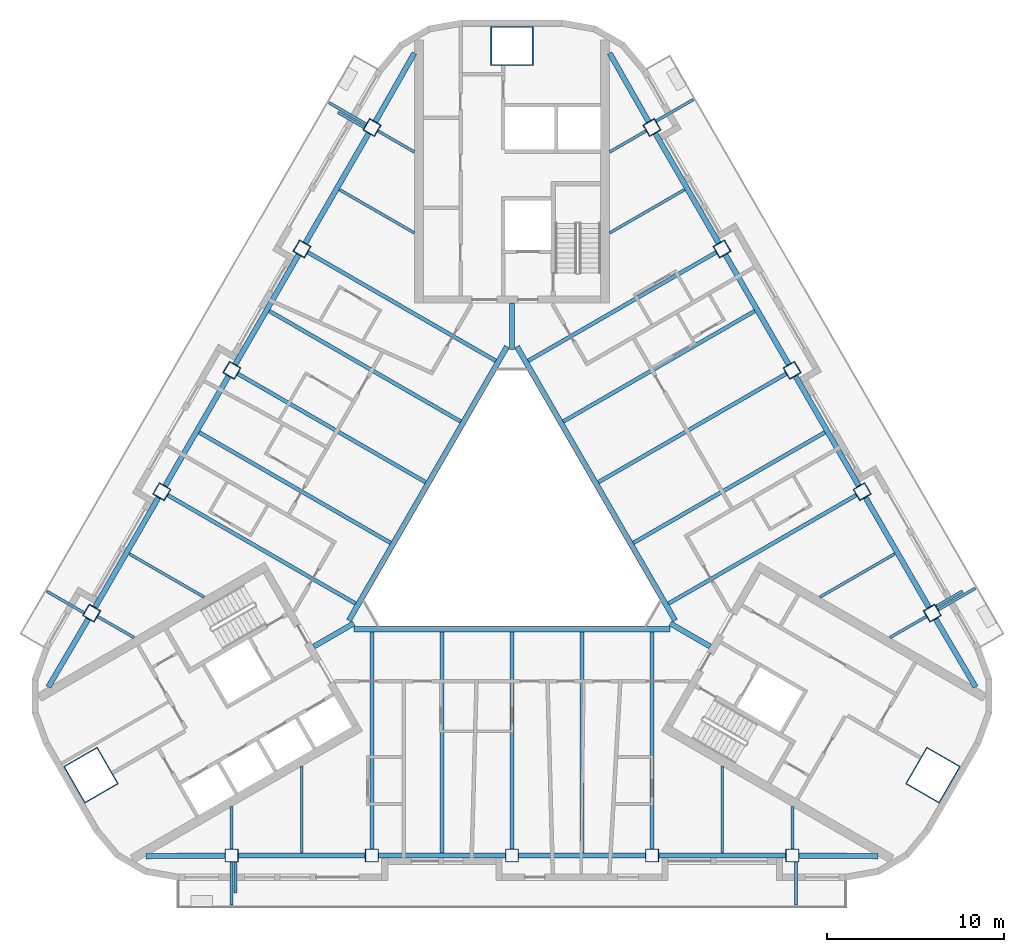
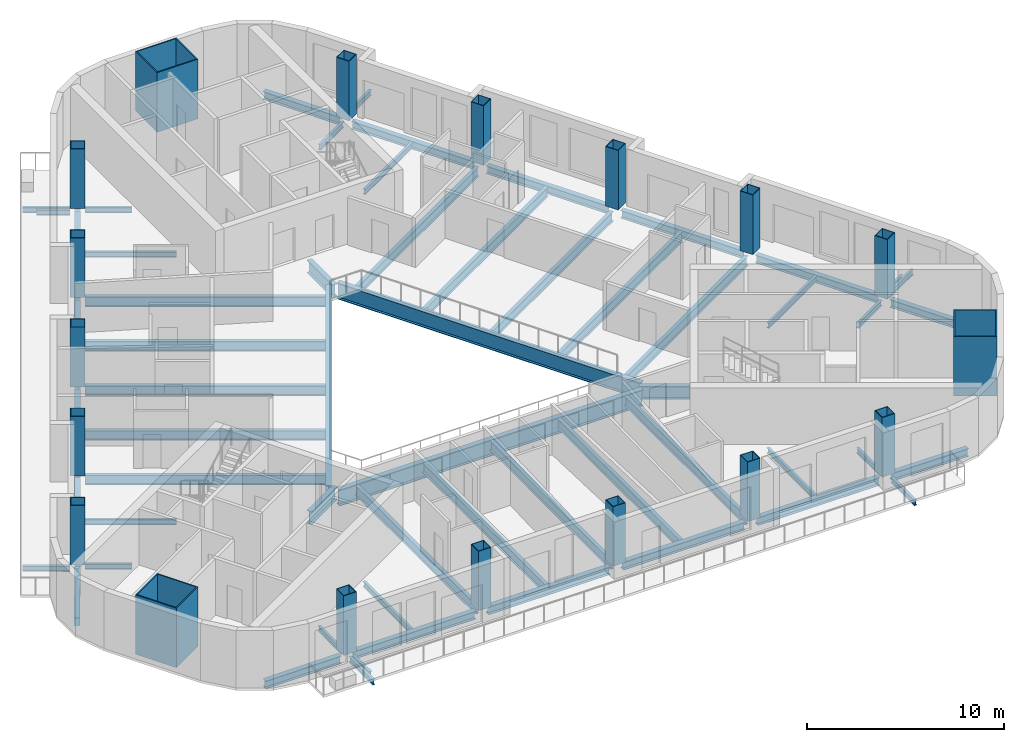
# One storey, part 1 of 14: 60 beams, 18 columns.
"""IFC4 building model written with IfcOpenShell, lengths in metres."""

from ifc_helpers import new_model, si_unit, direction, frame, origin, origin_2d, place, context, subcontext, project, spatial, rectangle, hollow_rectangle, i_section, extrude, material, material_profile, profile_set, type_object, element, save


model = new_model("IFC4")

# Units and contexts
model_context = context("Model", 3, precision=1e-05, world=origin(), true_north=direction((0.0, 1.0)))
body_context = subcontext(model_context, "Body", "Model", "MODEL_VIEW")
ifc_project = project(units=[si_unit("LENGTHUNIT", "METRE"), si_unit("AREAUNIT", "SQUARE_METRE"), si_unit("VOLUMEUNIT", "CUBIC_METRE"), si_unit("PLANEANGLEUNIT", "RADIAN"), si_unit("MASSUNIT", "GRAM", prefix="KILO")], contexts=[model_context])

# Site, building, storey
site_placement = place(None, origin())
site = spatial("IfcSite", under=ifc_project, at=site_placement, CompositionType="ELEMENT")
building_placement = place(site_placement, origin())
building = spatial("IfcBuilding", under=site, at=building_placement, Name="Apuvela Tower Hotel", CompositionType="ELEMENT")
storey_placement = place(building_placement, frame((0.0, 0.0, 216.89990234375)))
storey = spatial("IfcBuildingStorey", under=building, at=storey_placement, Name="L53", CompositionType="ELEMENT", Elevation=216.89990234375)

# Columns
ifc_material_1 = material(Name="Steel S460", Category="steel")
ifc_material_profile_1 = material_profile(ifc_material_1, hollow_rectangle(XDim=2.39990234375, YDim=2.199951171875, WallThickness=0.06005859375, at=origin_2d()), Name="BOX 2400x2200x60")
ifc_material_2 = material(Name="Concrete C80/95", Category="concrete")
ifc_material_profile_2 = material_profile(ifc_material_2, rectangle(XDim=2.280029296875, YDim=2.080078125, at=origin_2d()), Name="Concrete C80/95 infill")
ifc_profile_set_1 = profile_set([ifc_material_profile_1, ifc_material_profile_2], Name="Steel S460")
column_type_1 = type_object("IfcColumnType", Name="STR-MC mega column BOX 2400x2200x60", PredefinedType="COLUMN", material=ifc_profile_set_1)
for number, where, z_axis, x_axis, name in (
    (1, (0.0, 27.39990234375, 0.0), (0.0, 0.0, 1.0), (1.0, 0.0, 0.0), "Mega column MC3 N"),
    (2, (-23.72900390625, -13.699951171875, 0.0), (0.0, 0.0, 1.0), (-0.5, 0.866025403784, 0.0), "Mega column MC3 SW"),
    (3, (23.72900390625, -13.699951171875, 0.0), (0.0, 0.0, 1.0), (0.5, 0.866025403784, 0.0), "Mega column MC3 SE"),
):
    element("IfcColumn", number, at=place(storey_placement, frame(where, z_axis=z_axis, x_axis=x_axis)), inside=storey, type_object=column_type_1, Name=name, PredefinedType="COLUMN", context=body_context, shape_type="SweptSolid", body=[
        extrude(hollow_rectangle(XDim=2.39990234375, YDim=2.199951171875, WallThickness=0.06005859375, at=origin_2d()), origin(), (0.0, 0.0, 1.0), 3.7001953125),
    ])
ifc_material_profile_3 = material_profile(ifc_material_1, hollow_rectangle(XDim=0.75, YDim=0.75, WallThickness=0.034912109375, at=origin_2d()), Name="BOX 750x750x35")
ifc_material_profile_4 = material_profile(ifc_material_2, rectangle(XDim=0.679931640625, YDim=0.679931640625, at=origin_2d()), Name="Concrete C80/95 infill")
ifc_profile_set_2 = profile_set([ifc_material_profile_3, ifc_material_profile_4], Name="Steel S460")
column_type_2 = type_object("IfcColumnType", Name="STR-PC perimeter column BOX 750x750x35", PredefinedType="COLUMN", material=ifc_profile_set_2)
for number, where, z_axis, x_axis, name in (
    (4, (-15.800048828125, -18.22998046875, 0.0), (0.0, 0.0, 1.0), (-1.0, 0.0, 0.0), "Perimeter column C5 S1"),
    (5, (-7.89990234375, -18.22998046875, 0.0), (0.0, 0.0, 1.0), (-1.0, 0.0, 0.0), "Perimeter column C5 S2"),
    (6, (0.0, -18.22998046875, 0.0), (0.0, 0.0, 1.0), (-1.0, 0.0, 0.0), "Perimeter column C5 S3"),
    (7, (7.89990234375, -18.22998046875, 0.0), (0.0, 0.0, 1.0), (-1.0, 0.0, 0.0), "Perimeter column C5 S4"),
    (8, (15.800048828125, -18.22998046875, 0.0), (0.0, 0.0, 1.0), (-1.0, 0.0, 0.0), "Perimeter column C5 S5"),
    (9, (23.6875, -4.568115234375, 0.0), (0.0, 0.0, 1.0), (-0.5, 0.866025403784, 0.0), "Perimeter column C5 NE1"),
    (10, (19.737548828125, 2.2734375, 0.0), (0.0, 0.0, 1.0), (-0.5, 0.866025403784, 0.0), "Perimeter column C5 NE2"),
    (11, (15.78759765625, 9.114990234375, 0.0), (0.0, 0.0, 1.0), (-0.5, 0.866025403784, 0.0), "Perimeter column C5 NE3"),
    (12, (11.837646484375, 15.95654296875, 0.0), (0.0, 0.0, 1.0), (-0.5, 0.866025403784, 0.0), "Perimeter column C5 NE4"),
    (13, (7.8876953125, 22.798095703125, 0.0), (0.0, 0.0, 1.0), (-0.5, 0.866025403784, 0.0), "Perimeter column C5 NE5"),
    (14, (-7.8876953125, 22.798095703125, 0.0), (0.0, 0.0, 1.0), (0.5, 0.866025403784, 0.0), "Perimeter column C5 NW1"),
    (15, (-11.837646484375, 15.95654296875, 0.0), (0.0, 0.0, 1.0), (0.5, 0.866025403784, 0.0), "Perimeter column C5 NW2"),
    (16, (-15.78759765625, 9.114990234375, 0.0), (0.0, 0.0, 1.0), (0.5, 0.866025403784, 0.0), "Perimeter column C5 NW3"),
    (17, (-19.737548828125, 2.2734375, 0.0), (0.0, 0.0, 1.0), (0.5, 0.866025403784, 0.0), "Perimeter column C5 NW4"),
    (18, (-23.6875, -4.568115234375, 0.0), (0.0, 0.0, 1.0), (0.5, 0.866025403784, 0.0), "Perimeter column C5 NW5"),
):
    element("IfcColumn", number, at=place(storey_placement, frame(where, z_axis=z_axis, x_axis=x_axis)), inside=storey, type_object=column_type_2, Name=name, PredefinedType="COLUMN", context=body_context, shape_type="SweptSolid", body=[
        extrude(hollow_rectangle(XDim=0.75, YDim=0.75, WallThickness=0.034912109375, at=origin_2d()), origin(), (0.0, 0.0, 1.0), 3.7001953125),
    ])

# Beams
ifc_material_3 = material(Name="Steel S355", Category="steel")
ifc_material_profile_5 = material_profile(ifc_material_3, i_section(OverallWidth=0.159912109375, OverallDepth=0.330078125, WebThickness=0.007568359375, FlangeThickness=0.011474609375, at=origin_2d()), Name="IPE 330")
ifc_profile_set_3 = profile_set([ifc_material_profile_5], Name="Steel S355")
beam_type_1 = type_object("IfcBeamType", Name="ENV-BALCONY-BEAM-IPE330", PredefinedType="BEAM", material=ifc_profile_set_3)
beam_1_placement = place(storey_placement, frame((-15.800048828125, -18.60498046875, -0.31494140625), z_axis=(0.0, -1.0, 0.0), x_axis=(1.0, 0.0, 0.0)))
element("IfcBeam", 19, at=beam_1_placement, inside=storey, type_object=beam_type_1, Name="Balcony cantilever beam S1 L53", PredefinedType="BEAM", context=body_context, shape_type="SweptSolid", body=[
    extrude(i_section(OverallWidth=0.159912109375, OverallDepth=0.330078125, WebThickness=0.007568359375, FlangeThickness=0.011474609375, at=origin_2d()), origin(), (0.0, 0.0, 1.0), 2.425048828125),
])
beam_2_placement = place(storey_placement, frame((-15.580078125, -18.60498046875, -0.31494140625), z_axis=(0.0, -1.0, 0.0), x_axis=(1.0, 0.0, 0.0)))
element("IfcBeam", 20, at=beam_2_placement, inside=storey, type_object=beam_type_1, Name="Balcony cantilever beam S2 L53", PredefinedType="BEAM", context=body_context, shape_type="SweptSolid", body=[
    extrude(i_section(OverallWidth=0.159912109375, OverallDepth=0.330078125, WebThickness=0.007568359375, FlangeThickness=0.011474609375, at=origin_2d()), origin(), (0.0, 0.0, 1.0), 1.72509765625),
])
for number, where, z_axis, x_axis, name in (
    (21, (16.0, -18.60498046875, -0.31494140625), (0.0, -1.0, 0.0), (1.0, 0.0, 0.0), "Balcony cantilever beam S3 L53"),
    (22, (24.012451171875, -4.380615234375, -0.31494140625), (0.866041403502, 0.499972286653, 0.0), (-0.499972286653, 0.866041403502, 0.0), "Balcony cantilever beam NE1 L53"),
):
    element("IfcBeam", number, at=place(storey_placement, frame(where, z_axis=z_axis, x_axis=x_axis)), inside=storey, type_object=beam_type_1, Name=name, PredefinedType="BEAM", context=body_context, shape_type="SweptSolid", body=[
        extrude(i_section(OverallWidth=0.159912109375, OverallDepth=0.330078125, WebThickness=0.007568359375, FlangeThickness=0.011474609375, at=origin_2d()), origin(), (0.0, 0.0, 1.0), 2.425048828125),
    ])
beam_3_placement = place(storey_placement, frame((23.90234375, -4.190185546875, -0.31494140625), z_axis=(0.866013532718, 0.500020560727, 0.0), x_axis=(-0.500020560727, 0.866013532718, 0.0)))
element("IfcBeam", 23, at=beam_3_placement, inside=storey, type_object=beam_type_1, Name="Balcony cantilever beam NE2 L53", PredefinedType="BEAM", context=body_context, shape_type="SweptSolid", body=[
    extrude(i_section(OverallWidth=0.159912109375, OverallDepth=0.330078125, WebThickness=0.007568359375, FlangeThickness=0.011474609375, at=origin_2d()), origin(), (0.0, 0.0, 1.0), 1.72509765625),
])
for number, where, z_axis, x_axis, name in (
    (24, (8.1123046875, 23.158935546875, -0.31494140625), (0.866041403502, 0.499972286653, 0.0), (-0.499972286653, 0.866041403502, 0.0), "Balcony cantilever beam NE3 L53"),
    (25, (-8.21240234375, 22.985595703125, -0.31494140625), (-0.865997808697, 0.500047793048, 0.0), (-0.500047793048, -0.865997808697, 0.0), "Balcony cantilever beam NW1 L53"),
):
    element("IfcBeam", number, at=place(storey_placement, frame(where, z_axis=z_axis, x_axis=x_axis)), inside=storey, type_object=beam_type_1, Name=name, PredefinedType="BEAM", context=body_context, shape_type="SweptSolid", body=[
        extrude(i_section(OverallWidth=0.159912109375, OverallDepth=0.330078125, WebThickness=0.007568359375, FlangeThickness=0.011474609375, at=origin_2d()), origin(), (0.0, 0.0, 1.0), 2.425048828125),
    ])
beam_4_placement = place(storey_placement, frame((-8.322509765625, 22.795166015625, -0.31494140625), z_axis=(-0.866013532718, 0.500020560727, 0.0), x_axis=(-0.500020560727, -0.866013532718, 0.0)))
element("IfcBeam", 26, at=beam_4_placement, inside=storey, type_object=beam_type_1, Name="Balcony cantilever beam NW2 L53", PredefinedType="BEAM", context=body_context, shape_type="SweptSolid", body=[
    extrude(i_section(OverallWidth=0.159912109375, OverallDepth=0.330078125, WebThickness=0.007568359375, FlangeThickness=0.011474609375, at=origin_2d()), origin(), (0.0, 0.0, 1.0), 1.72509765625),
])
beam_5_placement = place(storey_placement, frame((-24.1123046875, -4.553955078125, -0.31494140625), z_axis=(-0.865997808697, 0.500047793048, 0.0), x_axis=(-0.500047793048, -0.865997808697, 0.0)))
element("IfcBeam", 27, at=beam_5_placement, inside=storey, type_object=beam_type_1, Name="Balcony cantilever beam NW3 L53", PredefinedType="BEAM", context=body_context, shape_type="SweptSolid", body=[
    extrude(i_section(OverallWidth=0.159912109375, OverallDepth=0.330078125, WebThickness=0.007568359375, FlangeThickness=0.011474609375, at=origin_2d()), origin(), (0.0, 0.0, 1.0), 2.425048828125),
])
ifc_material_profile_6 = material_profile(ifc_material_3, i_section(OverallWidth=0.159912109375, OverallDepth=0.330078125, WebThickness=0.007568359375, FlangeThickness=0.011474609375, at=origin_2d()), Name="IPE 330")
ifc_profile_set_4 = profile_set([ifc_material_profile_6], Name="Steel S355")
beam_type_2 = type_object("IfcBeamType", Name="STR-B floor beam IPE 330", PredefinedType="BEAM", material=ifc_profile_set_4)
beam_6_placement = place(storey_placement, frame((23.36279296875, -4.755615234375, -0.31494140625), z_axis=(-0.865982457891, -0.500074377092, 0.0), x_axis=(0.500074377092, -0.865982457891, 0.0)))
element("IfcBeam", 28, at=beam_6_placement, inside=storey, type_object=beam_type_2, Name="Floor beam B1 NE1", PredefinedType="BEAM", context=body_context, shape_type="SweptSolid", body=[
    extrude(i_section(OverallWidth=0.159912109375, OverallDepth=0.330078125, WebThickness=0.007568359375, FlangeThickness=0.011474609375, at=origin_2d()), origin(), (0.0, 0.0, 1.0), 2.382080078125),
])
for number, where, z_axis, x_axis, name in (
    (29, (21.582763671875, -1.222412109375, -0.31494140625), (-0.866015056278, -0.500017921979, 0.0), (0.500017921979, -0.866015056278, 0.0), "Floor beam B1 NE2"),
    (30, (9.732666015625, 19.302490234375, -0.31494140625), (-0.866015056278, -0.500017921979, 0.0), (0.500017921979, -0.866015056278, 0.0), "Floor beam B1 NE8"),
):
    element("IfcBeam", number, at=place(storey_placement, frame(where, z_axis=z_axis, x_axis=x_axis)), inside=storey, type_object=beam_type_2, Name=name, PredefinedType="BEAM", context=body_context, shape_type="SweptSolid", body=[
        extrude(i_section(OverallWidth=0.159912109375, OverallDepth=0.330078125, WebThickness=0.007568359375, FlangeThickness=0.011474609375, at=origin_2d()), origin(), (0.0, 0.0, 1.0), 4.887451171875),
    ])
for number, where, z_axis, x_axis, name in (
    (31, (7.56298828125, 22.610595703125, -0.31494140625), (-0.866052464367, -0.499953126767, 0.0), (0.499953126767, -0.866052464367, 0.0), "Floor beam B1 NE9"),
    (32, (-7.56298828125, 22.610595703125, -0.31494140625), (0.866052464367, -0.499953126767, 0.0), (0.499953126767, 0.866052464367, 0.0), "Floor beam B1 NW1"),
):
    element("IfcBeam", number, at=place(storey_placement, frame(where, z_axis=z_axis, x_axis=x_axis)), inside=storey, type_object=beam_type_2, Name=name, PredefinedType="BEAM", context=body_context, shape_type="SweptSolid", body=[
        extrude(i_section(OverallWidth=0.159912109375, OverallDepth=0.330078125, WebThickness=0.007568359375, FlangeThickness=0.011474609375, at=origin_2d()), origin(), (0.0, 0.0, 1.0), 2.382080078125),
    ])
for number, where, z_axis, x_axis, name in (
    (33, (-9.732666015625, 19.302490234375, -0.31494140625), (0.866015056278, -0.500017921979, 0.0), (0.500017921979, 0.866015056278, 0.0), "Floor beam B1 NW2"),
    (34, (-21.582763671875, -1.222412109375, -0.31494140625), (0.866015056278, -0.500017921979, 0.0), (0.500017921979, 0.866015056278, 0.0), "Floor beam B1 NW8"),
):
    element("IfcBeam", number, at=place(storey_placement, frame(where, z_axis=z_axis, x_axis=x_axis)), inside=storey, type_object=beam_type_2, Name=name, PredefinedType="BEAM", context=body_context, shape_type="SweptSolid", body=[
        extrude(i_section(OverallWidth=0.159912109375, OverallDepth=0.330078125, WebThickness=0.007568359375, FlangeThickness=0.011474609375, at=origin_2d()), origin(), (0.0, 0.0, 1.0), 4.887451171875),
    ])
for number, where, z_axis, x_axis, name in (
    (35, (-23.36279296875, -4.755615234375, -0.31494140625), (0.865982457891, -0.500074377092, 0.0), (0.500074377092, 0.865982457891, 0.0), "Floor beam B1 NW9"),
    (36, (-15.800048828125, -17.85498046875, -0.31494140625), (0.0, 1.0, 0.0), (-1.0, 0.0, 0.0), "Floor beam B1 S1"),
):
    element("IfcBeam", number, at=place(storey_placement, frame(where, z_axis=z_axis, x_axis=x_axis)), inside=storey, type_object=beam_type_2, Name=name, PredefinedType="BEAM", context=body_context, shape_type="SweptSolid", body=[
        extrude(i_section(OverallWidth=0.159912109375, OverallDepth=0.330078125, WebThickness=0.007568359375, FlangeThickness=0.011474609375, at=origin_2d()), origin(), (0.0, 0.0, 1.0), 2.382080078125),
    ])
for number, where, z_axis, x_axis, name in (
    (37, (-11.85009765625, -18.080078125, -0.31494140625), (0.0, 1.0, 0.0), (-1.0, 0.0, 0.0), "Floor beam B1 S2"),
    (38, (11.85009765625, -18.080078125, -0.31494140625), (0.0, 1.0, 0.0), (-1.0, 0.0, 0.0), "Floor beam B1 S8"),
):
    element("IfcBeam", number, at=place(storey_placement, frame(where, z_axis=z_axis, x_axis=x_axis)), inside=storey, type_object=beam_type_2, Name=name, PredefinedType="BEAM", context=body_context, shape_type="SweptSolid", body=[
        extrude(i_section(OverallWidth=0.159912109375, OverallDepth=0.330078125, WebThickness=0.007568359375, FlangeThickness=0.011474609375, at=origin_2d()), origin(), (0.0, 0.0, 1.0), 4.8876953125),
    ])
beam_7_placement = place(storey_placement, frame((15.800048828125, -17.85498046875, -0.31494140625), z_axis=(0.0, 1.0, 0.0), x_axis=(-1.0, 0.0, 0.0)))
element("IfcBeam", 39, at=beam_7_placement, inside=storey, type_object=beam_type_2, Name="Floor beam B1 S9", PredefinedType="BEAM", context=body_context, shape_type="SweptSolid", body=[
    extrude(i_section(OverallWidth=0.159912109375, OverallDepth=0.330078125, WebThickness=0.007568359375, FlangeThickness=0.011474609375, at=origin_2d()), origin(), (0.0, 0.0, 1.0), 2.382080078125),
])
ifc_material_profile_7 = material_profile(ifc_material_3, i_section(OverallWidth=0.219970703125, OverallDepth=0.60009765625, WebThickness=0.011962890625, FlangeThickness=0.01904296875, at=origin_2d()), Name="IPE 600")
ifc_profile_set_5 = profile_set([ifc_material_profile_7], Name="Steel S355")
beam_type_3 = type_object("IfcBeamType", Name="STR-B floor beam IPE 600", PredefinedType="BEAM", material=ifc_profile_set_5)
beam_8_placement = place(storey_placement, frame((19.412841796875, 2.0859375, -0.449951171875), z_axis=(-0.866025418325, -0.499999974815, 0.0), x_axis=(0.499999974815, -0.866025418325, 0.0)))
element("IfcBeam", 40, at=beam_8_placement, inside=storey, type_object=beam_type_3, Name="Floor beam B8 NE3", PredefinedType="BEAM", context=body_context, shape_type="SweptSolid", body=[
    extrude(i_section(OverallWidth=0.219970703125, OverallDepth=0.60009765625, WebThickness=0.011962890625, FlangeThickness=0.01904296875, at=origin_2d()), origin(), (0.0, 0.0, 1.0), 12.23486328125),
])
beam_9_placement = place(storey_placement, frame((17.6328125, 5.619140625, -0.449951171875), z_axis=(-0.866027987673, -0.499995524547, 0.0), x_axis=(0.499995524547, -0.866027987673, 0.0)))
element("IfcBeam", 41, at=beam_9_placement, inside=storey, type_object=beam_type_3, Name="Floor beam B8 NE4", PredefinedType="BEAM", context=body_context, shape_type="SweptSolid", body=[
    extrude(i_section(OverallWidth=0.219970703125, OverallDepth=0.60009765625, WebThickness=0.011962890625, FlangeThickness=0.01904296875, at=origin_2d()), origin(), (0.0, 0.0, 1.0), 12.4599609375),
])
beam_10_placement = place(storey_placement, frame((15.462890625, 8.927490234375, -0.449951171875), z_axis=(-0.866025418325, -0.499999974815, 0.0), x_axis=(0.499999974815, -0.866025418325, 0.0)))
element("IfcBeam", 42, at=beam_10_placement, inside=storey, type_object=beam_type_3, Name="Floor beam B8 NE5", PredefinedType="BEAM", context=body_context, shape_type="SweptSolid", body=[
    extrude(i_section(OverallWidth=0.219970703125, OverallDepth=0.60009765625, WebThickness=0.011962890625, FlangeThickness=0.01904296875, at=origin_2d()), origin(), (0.0, 0.0, 1.0), 12.23486328125),
])
beam_11_placement = place(storey_placement, frame((13.6826171875, 12.460693359375, -0.449951171875), z_axis=(-0.866023089177, -0.500004008996, 0.0), x_axis=(0.500004008996, -0.866023089177, 0.0)))
element("IfcBeam", 43, at=beam_11_placement, inside=storey, type_object=beam_type_3, Name="Floor beam B8 NE6", PredefinedType="BEAM", context=body_context, shape_type="SweptSolid", body=[
    extrude(i_section(OverallWidth=0.219970703125, OverallDepth=0.60009765625, WebThickness=0.011962890625, FlangeThickness=0.01904296875, at=origin_2d()), origin(), (0.0, 0.0, 1.0), 12.4599609375),
])
for number, where, z_axis, x_axis, name in (
    (44, (11.512939453125, 15.76904296875, -0.449951171875), (-0.866030406821, -0.499991334387, 0.0), (0.499991334387, -0.866030406821, 0.0), "Floor beam B8 NE7"),
    (45, (-11.512939453125, 15.76904296875, -0.449951171875), (0.866030406821, -0.499991334387, 0.0), (0.499991334387, 0.866030406821, 0.0), "Floor beam B8 NW3"),
):
    element("IfcBeam", number, at=place(storey_placement, frame(where, z_axis=z_axis, x_axis=x_axis)), inside=storey, type_object=beam_type_3, Name=name, PredefinedType="BEAM", context=body_context, shape_type="SweptSolid", body=[
        extrude(i_section(OverallWidth=0.219970703125, OverallDepth=0.60009765625, WebThickness=0.011962890625, FlangeThickness=0.01904296875, at=origin_2d()), origin(), (0.0, 0.0, 1.0), 12.235107421875),
    ])
beam_12_placement = place(storey_placement, frame((-13.6826171875, 12.460693359375, -0.449951171875), z_axis=(0.866023089177, -0.500004008996, 0.0), x_axis=(0.500004008996, 0.866023089177, 0.0)))
element("IfcBeam", 46, at=beam_12_placement, inside=storey, type_object=beam_type_3, Name="Floor beam B8 NW4", PredefinedType="BEAM", context=body_context, shape_type="SweptSolid", body=[
    extrude(i_section(OverallWidth=0.219970703125, OverallDepth=0.60009765625, WebThickness=0.011962890625, FlangeThickness=0.01904296875, at=origin_2d()), origin(), (0.0, 0.0, 1.0), 12.4599609375),
])
beam_13_placement = place(storey_placement, frame((-15.462890625, 8.927490234375, -0.449951171875), z_axis=(0.866025418325, -0.499999974815, 0.0), x_axis=(0.499999974815, 0.866025418325, 0.0)))
element("IfcBeam", 47, at=beam_13_placement, inside=storey, type_object=beam_type_3, Name="Floor beam B8 NW5", PredefinedType="BEAM", context=body_context, shape_type="SweptSolid", body=[
    extrude(i_section(OverallWidth=0.219970703125, OverallDepth=0.60009765625, WebThickness=0.011962890625, FlangeThickness=0.01904296875, at=origin_2d()), origin(), (0.0, 0.0, 1.0), 12.23486328125),
])
beam_14_placement = place(storey_placement, frame((-17.6328125, 5.619140625, -0.449951171875), z_axis=(0.866027987673, -0.499995524547, 0.0), x_axis=(0.499995524547, 0.866027987673, 0.0)))
element("IfcBeam", 48, at=beam_14_placement, inside=storey, type_object=beam_type_3, Name="Floor beam B8 NW6", PredefinedType="BEAM", context=body_context, shape_type="SweptSolid", body=[
    extrude(i_section(OverallWidth=0.219970703125, OverallDepth=0.60009765625, WebThickness=0.011962890625, FlangeThickness=0.01904296875, at=origin_2d()), origin(), (0.0, 0.0, 1.0), 12.4599609375),
])
for number, where, z_axis, x_axis, name in (
    (49, (-19.412841796875, 2.0859375, -0.449951171875), (0.866025418325, -0.499999974815, 0.0), (0.499999974815, 0.866025418325, 0.0), "Floor beam B8 NW7"),
    (50, (-7.89990234375, -17.85498046875, -0.449951171875), (0.0, 1.0, 0.0), (-1.0, 0.0, 0.0), "Floor beam B8 S3"),
):
    element("IfcBeam", number, at=place(storey_placement, frame(where, z_axis=z_axis, x_axis=x_axis)), inside=storey, type_object=beam_type_3, Name=name, PredefinedType="BEAM", context=body_context, shape_type="SweptSolid", body=[
        extrude(i_section(OverallWidth=0.219970703125, OverallDepth=0.60009765625, WebThickness=0.011962890625, FlangeThickness=0.01904296875, at=origin_2d()), origin(), (0.0, 0.0, 1.0), 12.23486328125),
    ])
beam_15_placement = place(storey_placement, frame((-3.949951171875, -18.080078125, -0.449951171875), z_axis=(0.0, 1.0, 0.0), x_axis=(-1.0, 0.0, 0.0)))
element("IfcBeam", 51, at=beam_15_placement, inside=storey, type_object=beam_type_3, Name="Floor beam B8 S4", PredefinedType="BEAM", context=body_context, shape_type="SweptSolid", body=[
    extrude(i_section(OverallWidth=0.219970703125, OverallDepth=0.60009765625, WebThickness=0.011962890625, FlangeThickness=0.01904296875, at=origin_2d()), origin(), (0.0, 0.0, 1.0), 12.4599609375),
])
beam_16_placement = place(storey_placement, frame((0.0, -17.85498046875, -0.449951171875), z_axis=(0.0, 1.0, 0.0), x_axis=(-1.0, 0.0, 0.0)))
element("IfcBeam", 52, at=beam_16_placement, inside=storey, type_object=beam_type_3, Name="Floor beam B8 S5", PredefinedType="BEAM", context=body_context, shape_type="SweptSolid", body=[
    extrude(i_section(OverallWidth=0.219970703125, OverallDepth=0.60009765625, WebThickness=0.011962890625, FlangeThickness=0.01904296875, at=origin_2d()), origin(), (0.0, 0.0, 1.0), 12.23486328125),
])
beam_17_placement = place(storey_placement, frame((3.949951171875, -18.080078125, -0.449951171875), z_axis=(0.0, 1.0, 0.0), x_axis=(-1.0, 0.0, 0.0)))
element("IfcBeam", 53, at=beam_17_placement, inside=storey, type_object=beam_type_3, Name="Floor beam B8 S6", PredefinedType="BEAM", context=body_context, shape_type="SweptSolid", body=[
    extrude(i_section(OverallWidth=0.219970703125, OverallDepth=0.60009765625, WebThickness=0.011962890625, FlangeThickness=0.01904296875, at=origin_2d()), origin(), (0.0, 0.0, 1.0), 12.4599609375),
])
beam_18_placement = place(storey_placement, frame((7.89990234375, -17.85498046875, -0.449951171875), z_axis=(0.0, 1.0, 0.0), x_axis=(-1.0, 0.0, 0.0)))
element("IfcBeam", 54, at=beam_18_placement, inside=storey, type_object=beam_type_3, Name="Floor beam B8 S7", PredefinedType="BEAM", context=body_context, shape_type="SweptSolid", body=[
    extrude(i_section(OverallWidth=0.219970703125, OverallDepth=0.60009765625, WebThickness=0.011962890625, FlangeThickness=0.01904296875, at=origin_2d()), origin(), (0.0, 0.0, 1.0), 12.23486328125),
])
ifc_material_profile_8 = material_profile(ifc_material_3, i_section(OverallWidth=0.300048828125, OverallDepth=1.0, WebThickness=0.01904296875, FlangeThickness=0.035888671875, at=origin_2d()), Name="HE 1000 B")
ifc_profile_set_6 = profile_set([ifc_material_profile_8], Name="Steel S355")
beam_type_4 = type_object("IfcBeamType", Name="STR-G atrium ring girder HE 1000 B", PredefinedType="BEAM", material=ifc_profile_set_6)
beam_19_placement = place(storey_placement, frame((-0.27978515625, 10.455078125, -0.64990234375), z_axis=(-0.500006541319, -0.866021627119, 0.0), x_axis=(0.866021627119, -0.500006541319, 0.0)))
element("IfcBeam", 55, at=beam_19_placement, inside=storey, type_object=beam_type_4, Name="Atrium ring girder G2 N-SW", PredefinedType="BEAM", context=body_context, shape_type="SweptSolid", body=[
    extrude(i_section(OverallWidth=0.300048828125, OverallDepth=1.0, WebThickness=0.01904296875, FlangeThickness=0.035888671875, at=origin_2d()), origin(), (0.0, 0.0, 1.0), 17.828857421875),
])
beam_20_placement = place(storey_placement, frame((-8.91455078125, -5.469970703125, -0.64990234375), z_axis=(1.0, 0.0, 0.0), x_axis=(0.0, 1.0, 0.0)))
element("IfcBeam", 56, at=beam_20_placement, inside=storey, type_object=beam_type_4, Name="Atrium ring girder G2 SW-SE", PredefinedType="BEAM", context=body_context, shape_type="SweptSolid", body=[
    extrude(i_section(OverallWidth=0.300048828125, OverallDepth=1.0, WebThickness=0.01904296875, FlangeThickness=0.035888671875, at=origin_2d()), origin(), (0.0, 0.0, 1.0), 17.8291015625),
])
beam_21_placement = place(storey_placement, frame((9.1943359375, -4.985107421875, -0.64990234375), z_axis=(-0.500006541319, 0.866021627119, 0.0), x_axis=(-0.866021627119, -0.500006541319, 0.0)))
element("IfcBeam", 57, at=beam_21_placement, inside=storey, type_object=beam_type_4, Name="Atrium ring girder G2 SE-N", PredefinedType="BEAM", context=body_context, shape_type="SweptSolid", body=[
    extrude(i_section(OverallWidth=0.300048828125, OverallDepth=1.0, WebThickness=0.01904296875, FlangeThickness=0.035888671875, at=origin_2d()), origin(), (0.0, 0.0, 1.0), 17.828857421875),
])
ifc_material_profile_9 = material_profile(ifc_material_3, i_section(OverallWidth=0.300048828125, OverallDepth=0.800048828125, WebThickness=0.017578125, FlangeThickness=0.032958984375, at=origin_2d()), Name="HE 800 B")
ifc_profile_set_7 = profile_set([ifc_material_profile_9], Name="Steel S355")
beam_type_5 = type_object("IfcBeamType", Name="STR-GT core tie beam HE 800 B", PredefinedType="BEAM", material=ifc_profile_set_7)
for number, where, z_axis, x_axis, name in (
    (58, (0.0, 12.89990234375, -0.5498046875), (0.0, -1.0, 0.0), (1.0, 0.0, 0.0), "Core tie beam GT1 N"),
    (59, (-11.171630859375, -6.449951171875, -0.5498046875), (0.865997922154, 0.500047596559, 0.0), (-0.500047596559, 0.865997922154, 0.0), "Core tie beam GT1 SW"),
    (60, (11.171630859375, -6.449951171875, -0.5498046875), (-0.865997922154, 0.500047596559, 0.0), (-0.500047596559, -0.865997922154, 0.0), "Core tie beam GT1 SE"),
):
    element("IfcBeam", number, at=place(storey_placement, frame(where, z_axis=z_axis, x_axis=x_axis)), inside=storey, type_object=beam_type_5, Name=name, PredefinedType="BEAM", context=body_context, shape_type="SweptSolid", body=[
        extrude(i_section(OverallWidth=0.300048828125, OverallDepth=0.800048828125, WebThickness=0.017578125, FlangeThickness=0.032958984375, at=origin_2d()), origin(), (0.0, 0.0, 1.0), 2.599853515625),
    ])
ifc_material_profile_10 = material_profile(ifc_material_3, i_section(OverallWidth=0.300048828125, OverallDepth=0.489990234375, WebThickness=0.011962890625, FlangeThickness=0.02294921875, at=origin_2d()), Name="HE 500 A")
ifc_profile_set_8 = profile_set([ifc_material_profile_10], Name="Steel S355")
beam_type_6 = type_object("IfcBeamType", Name="STR-SB spandrel beam HE 500 A", PredefinedType="SPANDREL", material=ifc_profile_set_8)
beam_22_placement = place(storey_placement, frame((-15.425048828125, -18.22998046875, -0.39501953125), z_axis=(1.0, 0.0, 0.0), x_axis=(0.0, 1.0, 0.0)))
element("IfcBeam", 61, at=beam_22_placement, inside=storey, type_object=beam_type_6, Name="Spandrel beam SB3 S1", PredefinedType="SPANDREL", context=body_context, shape_type="SweptSolid", body=[
    extrude(i_section(OverallWidth=0.300048828125, OverallDepth=0.489990234375, WebThickness=0.011962890625, FlangeThickness=0.02294921875, at=origin_2d()), origin(), (0.0, 0.0, 1.0), 7.150146484375),
])
for number, where, z_axis, x_axis, name in (
    (62, (-7.52490234375, -18.22998046875, -0.39501953125), (1.0, 0.0, 0.0), (0.0, 1.0, 0.0), "Spandrel beam SB3 S2"),
    (63, (0.375, -18.22998046875, -0.39501953125), (1.0, 0.0, 0.0), (0.0, 1.0, 0.0), "Spandrel beam SB3 S3"),
):
    element("IfcBeam", number, at=place(storey_placement, frame(where, z_axis=z_axis, x_axis=x_axis)), inside=storey, type_object=beam_type_6, Name=name, PredefinedType="SPANDREL", context=body_context, shape_type="SweptSolid", body=[
        extrude(i_section(OverallWidth=0.300048828125, OverallDepth=0.489990234375, WebThickness=0.011962890625, FlangeThickness=0.02294921875, at=origin_2d()), origin(), (0.0, 0.0, 1.0), 7.14990234375),
    ])
beam_23_placement = place(storey_placement, frame((8.27490234375, -18.22998046875, -0.39501953125), z_axis=(1.0, 0.0, 0.0), x_axis=(0.0, 1.0, 0.0)))
element("IfcBeam", 64, at=beam_23_placement, inside=storey, type_object=beam_type_6, Name="Spandrel beam SB3 S4", PredefinedType="SPANDREL", context=body_context, shape_type="SweptSolid", body=[
    extrude(i_section(OverallWidth=0.300048828125, OverallDepth=0.489990234375, WebThickness=0.011962890625, FlangeThickness=0.02294921875, at=origin_2d()), origin(), (0.0, 0.0, 1.0), 7.150146484375),
])
beam_24_placement = place(storey_placement, frame((23.5, -4.243408203125, -0.39501953125), z_axis=(-0.500006209673, 0.866021818598, 0.0), x_axis=(-0.866021818598, -0.500006209673, 0.0)))
element("IfcBeam", 65, at=beam_24_placement, inside=storey, type_object=beam_type_6, Name="Spandrel beam SB3 NE1", PredefinedType="SPANDREL", context=body_context, shape_type="SweptSolid", body=[
    extrude(i_section(OverallWidth=0.300048828125, OverallDepth=0.489990234375, WebThickness=0.011962890625, FlangeThickness=0.02294921875, at=origin_2d()), origin(), (0.0, 0.0, 1.0), 7.14990234375),
])
for number, where, z_axis, x_axis, name in (
    (66, (19.550048828125, 2.59814453125, -0.39501953125), (-0.499991424076, 0.86603035504, 0.0), (-0.86603035504, -0.499991424076, 0.0), "Spandrel beam SB3 NE2"),
    (67, (15.60009765625, 9.439697265625, -0.39501953125), (-0.499991424076, 0.86603035504, 0.0), (-0.86603035504, -0.499991424076, 0.0), "Spandrel beam SB3 NE3"),
):
    element("IfcBeam", number, at=place(storey_placement, frame(where, z_axis=z_axis, x_axis=x_axis)), inside=storey, type_object=beam_type_6, Name=name, PredefinedType="SPANDREL", context=body_context, shape_type="SweptSolid", body=[
        extrude(i_section(OverallWidth=0.300048828125, OverallDepth=0.489990234375, WebThickness=0.011962890625, FlangeThickness=0.02294921875, at=origin_2d()), origin(), (0.0, 0.0, 1.0), 7.150146484375),
    ])
for number, where, z_axis, x_axis, name in (
    (68, (11.650146484375, 16.281494140625, -0.39501953125), (-0.500006209673, 0.866021818598, 0.0), (-0.866021818598, -0.500006209673, 0.0), "Spandrel beam SB3 NE4"),
    (69, (-8.0751953125, 22.473388671875, -0.39501953125), (-0.500006209673, -0.866021818598, 0.0), (0.866021818598, -0.500006209673, 0.0), "Spandrel beam SB3 NW1"),
):
    element("IfcBeam", number, at=place(storey_placement, frame(where, z_axis=z_axis, x_axis=x_axis)), inside=storey, type_object=beam_type_6, Name=name, PredefinedType="SPANDREL", context=body_context, shape_type="SweptSolid", body=[
        extrude(i_section(OverallWidth=0.300048828125, OverallDepth=0.489990234375, WebThickness=0.011962890625, FlangeThickness=0.02294921875, at=origin_2d()), origin(), (0.0, 0.0, 1.0), 7.14990234375),
    ])
for number, where, z_axis, x_axis, name in (
    (70, (-12.025146484375, 15.6318359375, -0.39501953125), (-0.499991424076, -0.86603035504, 0.0), (0.86603035504, -0.499991424076, 0.0), "Spandrel beam SB3 NW2"),
    (71, (-15.97509765625, 8.790283203125, -0.39501953125), (-0.499991424076, -0.86603035504, 0.0), (0.86603035504, -0.499991424076, 0.0), "Spandrel beam SB3 NW3"),
):
    element("IfcBeam", number, at=place(storey_placement, frame(where, z_axis=z_axis, x_axis=x_axis)), inside=storey, type_object=beam_type_6, Name=name, PredefinedType="SPANDREL", context=body_context, shape_type="SweptSolid", body=[
        extrude(i_section(OverallWidth=0.300048828125, OverallDepth=0.489990234375, WebThickness=0.011962890625, FlangeThickness=0.02294921875, at=origin_2d()), origin(), (0.0, 0.0, 1.0), 7.150146484375),
    ])
beam_25_placement = place(storey_placement, frame((-19.925048828125, 1.948486328125, -0.39501953125), z_axis=(-0.500006209673, -0.866021818598, 0.0), x_axis=(0.866021818598, -0.500006209673, 0.0)))
element("IfcBeam", 72, at=beam_25_placement, inside=storey, type_object=beam_type_6, Name="Spandrel beam SB3 NW4", PredefinedType="SPANDREL", context=body_context, shape_type="SweptSolid", body=[
    extrude(i_section(OverallWidth=0.300048828125, OverallDepth=0.489990234375, WebThickness=0.011962890625, FlangeThickness=0.02294921875, at=origin_2d()), origin(), (0.0, 0.0, 1.0), 7.14990234375),
])
for number, where, z_axis, x_axis, name in (
    (73, (-16.175048828125, -18.232666015625, -0.39501953125), (-0.999976567383, -0.006845778571, 0.0), (0.006845778571, -0.999976567383, 0.0), "Spandrel beam SB3 S1-SW"),
    (74, (16.175048828125, -18.232666015625, -0.39501953125), (0.999976567383, -0.006845778571, 0.0), (0.006845778571, 0.999976567383, 0.0), "Spandrel beam SB3 S5-SE"),
    (75, (23.87744140625, -4.8916015625, -0.39501953125), (0.505933122104, -0.862572707636, 0.0), (0.862572707636, 0.505933122104, 0.0), "Spandrel beam SB3 NE1-SE"),
    (76, (7.702392578125, 23.124267578125, -0.39501953125), (-0.494055513212, 0.869430359411, 0.0), (-0.869430359411, -0.494055513212, 0.0), "Spandrel beam SB3 NE5-N"),
    (77, (-7.702392578125, 23.124267578125, -0.39501953125), (0.494055513212, 0.869430359411, 0.0), (-0.869430359411, 0.494055513212, 0.0), "Spandrel beam SB3 NW1-N"),
    (78, (-23.87744140625, -4.8916015625, -0.39501953125), (-0.505933122104, -0.862572707636, 0.0), (0.862572707636, -0.505933122104, 0.0), "Spandrel beam SB3 NW5-SW"),
):
    element("IfcBeam", number, at=place(storey_placement, frame(where, z_axis=z_axis, x_axis=x_axis)), inside=storey, type_object=beam_type_6, Name=name, PredefinedType="SPANDREL", context=body_context, shape_type="SweptSolid", body=[
        extrude(i_section(OverallWidth=0.300048828125, OverallDepth=0.489990234375, WebThickness=0.011962890625, FlangeThickness=0.02294921875, at=origin_2d()), origin(), (0.0, 0.0, 1.0), 4.457763671875),
    ])

save(model, "model.ifc")
